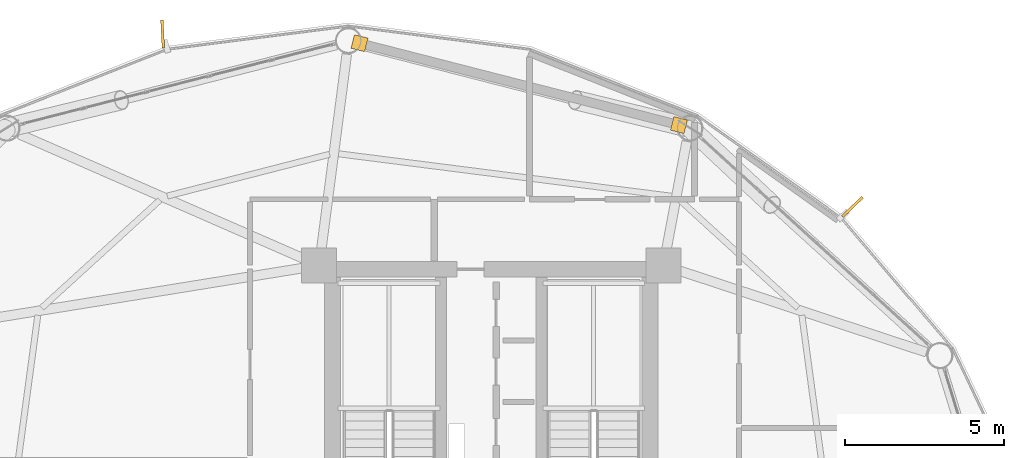
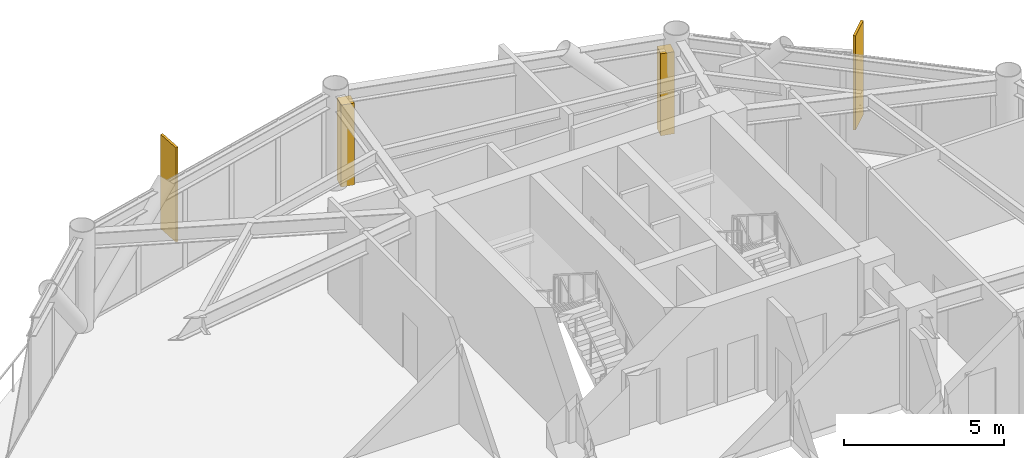
# One storey, part 25 of 25: 2 coverings, 2 shading devices.
"""IFC4 building model written with IfcOpenShell, lengths in metres."""

from ifc_helpers import new_model, si_unit, direction, frame, origin, origin_2d, place, context, subcontext, project, spatial, rectangle, extrude, source, transform, mapped, material, layer, layer_set, type_object, type_shapes, element, save


model = new_model("IFC4")

# Units and contexts
model_context = context("Model", 3, precision=1e-05, world=origin(), true_north=direction((0.0, 1.0)))
body_context = subcontext(model_context, "Body", "Model", "MODEL_VIEW")
ifc_project = project(units=[si_unit("LENGTHUNIT", "METRE"), si_unit("AREAUNIT", "SQUARE_METRE"), si_unit("VOLUMEUNIT", "CUBIC_METRE"), si_unit("PLANEANGLEUNIT", "RADIAN"), si_unit("MASSUNIT", "GRAM", prefix="KILO")], contexts=[model_context])

# Site, building, storey
site_placement = place(None, origin())
site = spatial("IfcSite", under=ifc_project, at=site_placement, CompositionType="ELEMENT")
building_placement = place(site_placement, origin())
building = spatial("IfcBuilding", under=site, at=building_placement, Name="Varnakorn Sky Granary", CompositionType="ELEMENT")
storey_placement = place(building_placement, frame((0.0, 0.0, 99.300048828125)))
storey = spatial("IfcBuildingStorey", under=building, at=storey_placement, Name="L24", CompositionType="ELEMENT", Elevation=99.300048828125)

# Shading devices
ifc_material = material(Name="Anodised Bronze Aluminium Alloy 6063-T6", Category="aluminium")
shading_device_type = type_object("IfcShadingDeviceType", Name="SH-FIN-01", PredefinedType="USERDEFINED", material=ifc_material)
shared_shape_1 = source(origin(), body_context, "Body", "SweptSolid", [
    extrude(rectangle(XDim=0.0849609375, YDim=0.8798828125, at=origin_2d()), origin(), (0.0, 0.0, 1.0), 3.60009765625),
])
type_shapes(shading_device_type, [shared_shape_1])
for number, where, z_axis, x_axis, name in (
    (1, (14.369873046875, 14.4619140625, -0.0400390625), (0.0, 0.0, 1.0), (-0.692451607937, 0.721464323903, 0.0), "Bronze Solar-Tracking Vertical Blade FIN L24-02"),
    (2, (-7.349609375, 19.90625, -0.0400390625), (0.0, 0.0, 1.0), (-0.998701846889, -0.050937422587, 0.0), "Bronze Solar-Tracking Vertical Blade FIN L24-04"),
):
    element("IfcShadingDevice", number, at=place(storey_placement, frame(where, z_axis=z_axis, x_axis=x_axis)), inside=storey, type_object=shading_device_type, Name=name, ObjectType="FIN", PredefinedType="USERDEFINED", context=body_context, shape_type="MappedRepresentation", body=[
        mapped(shared_shape_1, transform((0.0, 0.0, 0.0), x_axis=(1.0, 0.0, 0.0), y_axis=(0.0, 1.0, 0.0), z_axis=(0.0, 0.0, 1.0), scale=1.0)),
    ])

# Coverings
ifc_layer = layer(ifc_material, 0.050048828125, Name="Anodised Bronze Aluminium Alloy 6063-T6")
ifc_layer_set = layer_set([ifc_layer], Name="Anodised Bronze Aluminium Alloy 6063-T6")
covering_type = type_object("IfcCoveringType", Name="CV-CLAD-50", PredefinedType="CLADDING", material=ifc_layer_set)
shared_shape_2 = source(origin(), body_context, "Body", "SweptSolid", [
    extrude(rectangle(XDim=0.43994140625, YDim=0.43994140625, at=origin_2d()), origin(), (0.0, 0.0, 1.0), 3.1298828125),
])
type_shapes(covering_type, [shared_shape_2])
for number, where, z_axis, x_axis, name in (
    (3, (-1.14990234375, 19.6171875, -0.02001953125), (0.0, 0.0, 1.0), (0.968669911264, -0.248351772716, 0.0), "Bronze Corner Pilaster Closure L24-P03-A"),
    (4, (8.9072265625, 17.03955078125, -0.02001953125), (0.0, 0.0, 1.0), (0.968669911264, -0.248351772716, 0.0), "Bronze Corner Pilaster Closure L24-P03-B"),
):
    element("IfcCovering", number, at=place(storey_placement, frame(where, z_axis=z_axis, x_axis=x_axis)), inside=storey, type_object=covering_type, Name=name, PredefinedType="CLADDING", context=body_context, shape_type="MappedRepresentation", body=[
        mapped(shared_shape_2, transform((0.0, 0.0, 0.0), x_axis=(1.0, 0.0, 0.0), y_axis=(0.0, 1.0, 0.0), z_axis=(0.0, 0.0, 1.0), scale=1.0)),
    ])

save(model, "model.ifc")
